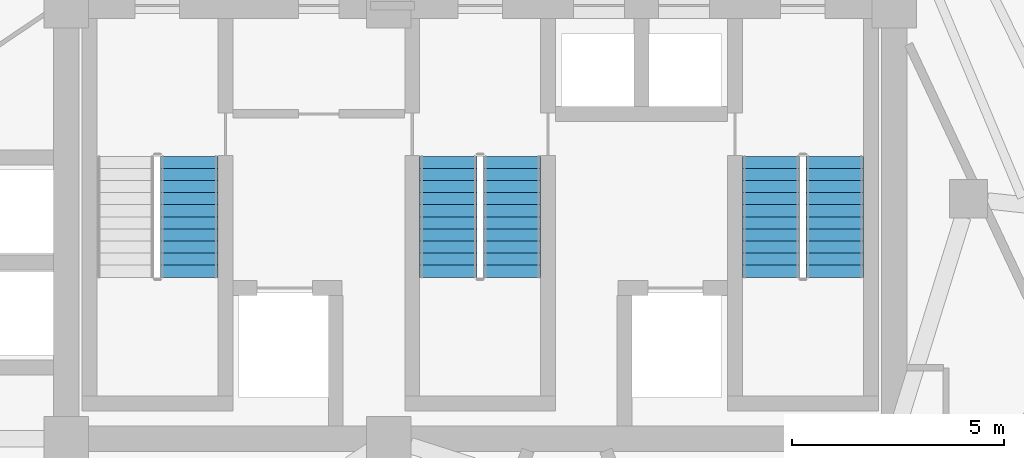
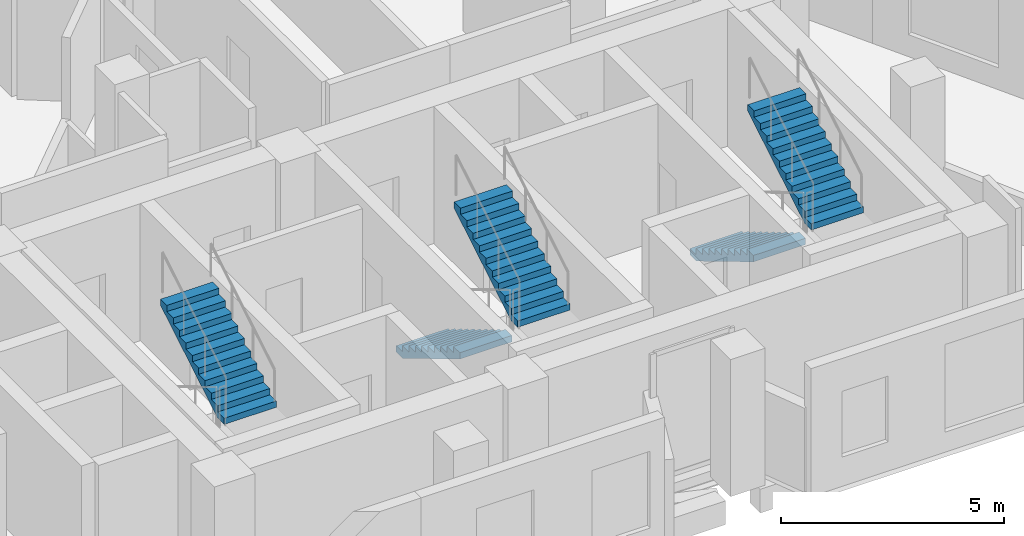
# One storey, part 8 of 9: 5 stair flights, 3 elements without a shape of their own.
"""IFC4 building model written with IfcOpenShell, lengths in metres."""

from ifc_helpers import new_model, si_unit, direction, frame, origin, place, context, subcontext, project, spatial, polyline, outline, extrude, material, type_object, element, aggregate, save


model = new_model("IFC4")

# Units and contexts
model_context = context("Model", 3, precision=1e-05, world=origin(), true_north=direction((0.0, 1.0)))
body_context = subcontext(model_context, "Body", "Model", "MODEL_VIEW")
ifc_project = project(units=[si_unit("LENGTHUNIT", "METRE"), si_unit("AREAUNIT", "SQUARE_METRE"), si_unit("VOLUMEUNIT", "CUBIC_METRE"), si_unit("PLANEANGLEUNIT", "RADIAN"), si_unit("MASSUNIT", "GRAM", prefix="KILO")], contexts=[model_context])

# Site, building, storey
site_placement = place(None, origin())
site = spatial("IfcSite", under=ifc_project, at=site_placement, CompositionType="ELEMENT")
building_placement = place(site_placement, origin())
building = spatial("IfcBuilding", under=site, at=building_placement, Name="Almagre Mirador Tower", CompositionType="ELEMENT")
storey_placement = place(building_placement, frame((0.0, 0.0, 225.75)))
storey = spatial("IfcBuildingStorey", under=building, at=storey_placement, Name="L58", CompositionType="ELEMENT", Elevation=225.75)

# Stair, stair flight
ifc_material_1 = material(Name="Concrete C45/55", Category="concrete")
stair_type = type_object("IfcStairType", Name="STR-DL-3750", PredefinedType="HALF_TURN_STAIR", material=ifc_material_1)
stair_1_placement = place(storey_placement, origin())
stair_1 = element("IfcStair", 1, at=stair_1_placement, inside=storey, type_object=stair_type, Name="L58 Protected exit stair ST-1", PredefinedType="HALF_TURN_STAIR")
ifc_material_2 = material(Name="Concrete C45/55", Category="concrete")
stair_flight_type = type_object("IfcStairFlightType", Name="FLT-DL-3750", PredefinedType="STRAIGHT", material=ifc_material_2)
stair_flight_1_placement = place(storey_placement, frame((30.449951171875, 8.35009765625, 1.875), z_axis=(0.0, 0.0, 1.0), x_axis=(0.0, 1.0, 0.0)))
stair_flight_1 = element("IfcStairFlight", 2, at=stair_flight_1_placement, type_object=stair_flight_type, Name="ST-1 flight 2", NumberOfRisers=11, NumberOfTreads=10, PredefinedType="STRAIGHT", RiserHeight=0.170454545, TreadLength=0.285, context=body_context, shape_type="SweptSolid", body=[
    extrude(outline(polyline([(0.0, 0.0), (0.0, 0.17041015625), (0.284912109375, 0.17041015625), (0.284912109375, 0.3408203125), (0.570068359375, 0.3408203125), (0.570068359375, 0.511474609375), (0.85498046875, 0.511474609375), (0.85498046875, 0.681884765625), (1.139892578125, 0.681884765625), (1.139892578125, 0.852294921875), (1.425048828125, 0.852294921875), (1.425048828125, 1.022705078125), (1.7099609375, 1.022705078125), (1.7099609375, 1.193115234375), (1.9951171875, 1.193115234375), (1.9951171875, 1.363525390625), (2.280029296875, 1.363525390625), (2.280029296875, 1.5341796875), (2.56494140625, 1.5341796875), (2.56494140625, 1.70458984375), (2.85009765625, 1.70458984375), (2.85009765625, 1.875), (2.85009765625, 1.52978515625), (0.2919921875, 0.0), (0.0, 0.0)])), frame((0.0, 0.675048828125, 0.0), z_axis=(0.0, -1.0, 0.0), x_axis=(1.0, 0.0, 0.0)), (0.0, 0.0, 1.0), 1.35009765625),
])
aggregate(stair_1, [stair_flight_1])

# Stair, stair flights
stair_2_placement = place(storey_placement, origin())
stair_2 = element("IfcStair", 3, at=stair_2_placement, inside=storey, type_object=stair_type, Name="L58 Protected exit stair ST-2", PredefinedType="HALF_TURN_STAIR")
stair_flight_2_placement = place(storey_placement, frame((36.550048828125, 11.199951171875, 0.0), z_axis=(0.0, 0.0, 1.0), x_axis=(0.0, -1.0, 0.0)))
stair_flight_2 = element("IfcStairFlight", 4, at=stair_flight_2_placement, type_object=stair_flight_type, Name="ST-2 flight 1", NumberOfRisers=11, NumberOfTreads=10, PredefinedType="STRAIGHT", RiserHeight=0.170454545, TreadLength=0.285, context=body_context, shape_type="SweptSolid", body=[
    extrude(outline(polyline([(0.0, 0.0), (0.0, 0.17041015625), (0.284912109375, 0.17041015625), (0.284912109375, 0.3408203125), (0.570068359375, 0.3408203125), (0.570068359375, 0.511474609375), (0.85498046875, 0.511474609375), (0.85498046875, 0.681884765625), (1.139892578125, 0.681884765625), (1.139892578125, 0.852294921875), (1.425048828125, 0.852294921875), (1.425048828125, 1.022705078125), (1.7099609375, 1.022705078125), (1.7099609375, 1.193115234375), (1.9951171875, 1.193115234375), (1.9951171875, 1.363525390625), (2.280029296875, 1.363525390625), (2.280029296875, 1.5341796875), (2.56494140625, 1.5341796875), (2.56494140625, 1.70458984375), (2.85009765625, 1.70458984375), (2.85009765625, 1.875), (2.85009765625, 1.52978515625), (0.2919921875, 0.0), (0.0, 0.0)])), frame((0.0, 0.675048828125, 0.0), z_axis=(0.0, -1.0, 0.0), x_axis=(1.0, 0.0, 0.0)), (0.0, 0.0, 1.0), 1.35009765625),
])
stair_flight_3_placement = place(storey_placement, frame((38.050048828125, 8.35009765625, 1.875), z_axis=(0.0, 0.0, 1.0), x_axis=(0.0, 1.0, 0.0)))
stair_flight_3 = element("IfcStairFlight", 5, at=stair_flight_3_placement, type_object=stair_flight_type, Name="ST-2 flight 2", NumberOfRisers=11, NumberOfTreads=10, PredefinedType="STRAIGHT", RiserHeight=0.170454545, TreadLength=0.285, context=body_context, shape_type="SweptSolid", body=[
    extrude(outline(polyline([(0.0, 0.0), (0.0, 0.17041015625), (0.284912109375, 0.17041015625), (0.284912109375, 0.3408203125), (0.570068359375, 0.3408203125), (0.570068359375, 0.511474609375), (0.85498046875, 0.511474609375), (0.85498046875, 0.681884765625), (1.139892578125, 0.681884765625), (1.139892578125, 0.852294921875), (1.425048828125, 0.852294921875), (1.425048828125, 1.022705078125), (1.7099609375, 1.022705078125), (1.7099609375, 1.193115234375), (1.9951171875, 1.193115234375), (1.9951171875, 1.363525390625), (2.280029296875, 1.363525390625), (2.280029296875, 1.5341796875), (2.56494140625, 1.5341796875), (2.56494140625, 1.70458984375), (2.85009765625, 1.70458984375), (2.85009765625, 1.875), (2.85009765625, 1.52978515625), (0.2919921875, 0.0), (0.0, 0.0)])), frame((0.0, 0.675048828125, 0.0), z_axis=(0.0, -1.0, 0.0), x_axis=(1.0, 0.0, 0.0)), (0.0, 0.0, 1.0), 1.35009765625),
])
aggregate(stair_2, [stair_flight_2, stair_flight_3])

stair_3_placement = place(storey_placement, origin())
stair_3 = element("IfcStair", 6, at=stair_3_placement, inside=storey, type_object=stair_type, Name="L58 Protected exit stair ST-3", PredefinedType="HALF_TURN_STAIR")
stair_flight_4_placement = place(storey_placement, frame((44.14990234375, 11.199951171875, 0.0), z_axis=(0.0, 0.0, 1.0), x_axis=(0.0, -1.0, 0.0)))
stair_flight_4 = element("IfcStairFlight", 7, at=stair_flight_4_placement, type_object=stair_flight_type, Name="ST-3 flight 1", NumberOfRisers=11, NumberOfTreads=10, PredefinedType="STRAIGHT", RiserHeight=0.170454545, TreadLength=0.285, context=body_context, shape_type="SweptSolid", body=[
    extrude(outline(polyline([(0.0, 0.0), (0.0, 0.17041015625), (0.284912109375, 0.17041015625), (0.284912109375, 0.3408203125), (0.570068359375, 0.3408203125), (0.570068359375, 0.511474609375), (0.85498046875, 0.511474609375), (0.85498046875, 0.681884765625), (1.139892578125, 0.681884765625), (1.139892578125, 0.852294921875), (1.425048828125, 0.852294921875), (1.425048828125, 1.022705078125), (1.7099609375, 1.022705078125), (1.7099609375, 1.193115234375), (1.9951171875, 1.193115234375), (1.9951171875, 1.363525390625), (2.280029296875, 1.363525390625), (2.280029296875, 1.5341796875), (2.56494140625, 1.5341796875), (2.56494140625, 1.70458984375), (2.85009765625, 1.70458984375), (2.85009765625, 1.875), (2.85009765625, 1.52978515625), (0.2919921875, 0.0), (0.0, 0.0)])), frame((0.0, 0.675048828125, 0.0), z_axis=(0.0, -1.0, 0.0), x_axis=(1.0, 0.0, 0.0)), (0.0, 0.0, 1.0), 1.35009765625),
])
stair_flight_5_placement = place(storey_placement, frame((45.64990234375, 8.35009765625, 1.875), z_axis=(0.0, 0.0, 1.0), x_axis=(0.0, 1.0, 0.0)))
stair_flight_5 = element("IfcStairFlight", 8, at=stair_flight_5_placement, type_object=stair_flight_type, Name="ST-3 flight 2", NumberOfRisers=11, NumberOfTreads=10, PredefinedType="STRAIGHT", RiserHeight=0.170454545, TreadLength=0.285, context=body_context, shape_type="SweptSolid", body=[
    extrude(outline(polyline([(0.0, 0.0), (0.0, 0.17041015625), (0.284912109375, 0.17041015625), (0.284912109375, 0.3408203125), (0.570068359375, 0.3408203125), (0.570068359375, 0.511474609375), (0.85498046875, 0.511474609375), (0.85498046875, 0.681884765625), (1.139892578125, 0.681884765625), (1.139892578125, 0.852294921875), (1.425048828125, 0.852294921875), (1.425048828125, 1.022705078125), (1.7099609375, 1.022705078125), (1.7099609375, 1.193115234375), (1.9951171875, 1.193115234375), (1.9951171875, 1.363525390625), (2.280029296875, 1.363525390625), (2.280029296875, 1.5341796875), (2.56494140625, 1.5341796875), (2.56494140625, 1.70458984375), (2.85009765625, 1.70458984375), (2.85009765625, 1.875), (2.85009765625, 1.52978515625), (0.2919921875, 0.0), (0.0, 0.0)])), frame((0.0, 0.675048828125, 0.0), z_axis=(0.0, -1.0, 0.0), x_axis=(1.0, 0.0, 0.0)), (0.0, 0.0, 1.0), 1.35009765625),
])
aggregate(stair_3, [stair_flight_4, stair_flight_5])

save(model, "model.ifc")
